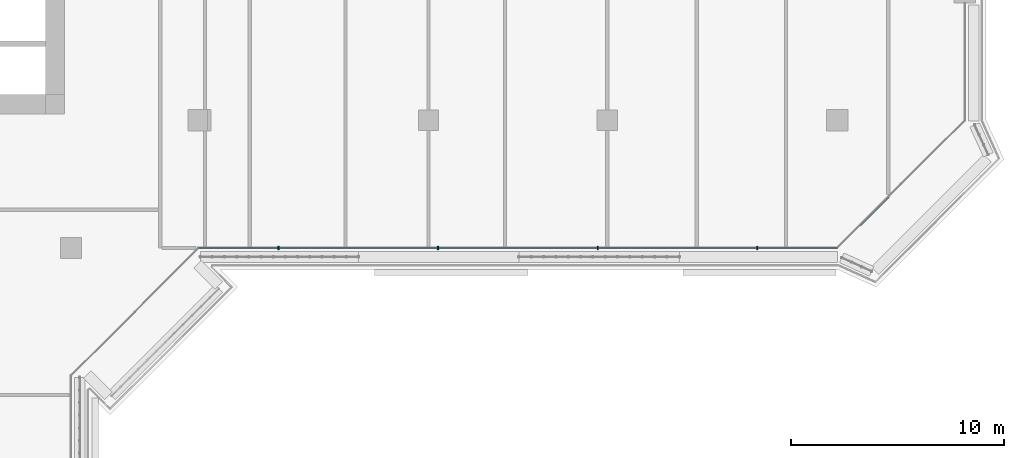
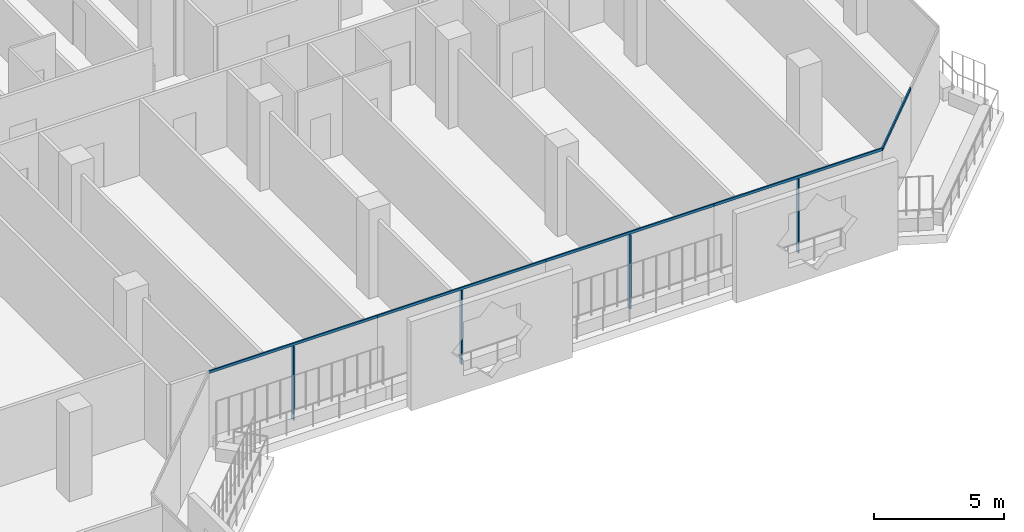
# One storey, part 4 of 23: 9 members, 2 elements without a shape of their own.
"""IFC4 building model written with IfcOpenShell, lengths in metres."""

from ifc_helpers import new_model, si_unit, direction, frame, origin, origin_2d, place, context, subcontext, project, spatial, rectangle, extrude, material, layer, layer_set, material_profile, profile_set, type_object, element, aggregate, save


model = new_model("IFC4")

# Units and contexts
model_context = context("Model", 3, precision=1e-05, world=origin(), true_north=direction((0.0, 1.0)))
body_context = subcontext(model_context, "Body", "Model", "MODEL_VIEW")
ifc_project = project(units=[si_unit("LENGTHUNIT", "METRE"), si_unit("AREAUNIT", "SQUARE_METRE"), si_unit("VOLUMEUNIT", "CUBIC_METRE"), si_unit("PLANEANGLEUNIT", "RADIAN"), si_unit("MASSUNIT", "GRAM", prefix="KILO")], contexts=[model_context])

# Site, building, storey
site_placement = place(None, origin())
site = spatial("IfcSite", under=ifc_project, at=site_placement, CompositionType="ELEMENT")
building_placement = place(site_placement, origin())
building = spatial("IfcBuilding", under=site, at=building_placement, Name="Kawkab Arch Medical Tower", CompositionType="ELEMENT")
storey_placement = place(building_placement, frame((0.0, 0.0, 175.199951171875)))
storey = spatial("IfcBuildingStorey", under=building, at=storey_placement, Name="L40", CompositionType="ELEMENT", Elevation=175.199951171875)

# Curtain wall, members
ifc_material_1 = material(Name="Bronze anodised aluminium curtain wall frame", Category="aluminium")
ifc_layer_1 = layer(ifc_material_1, 0.159912109375)
ifc_layer_set_1 = layer_set([ifc_layer_1], Name="Bronze anodised aluminium curtain wall frame")
curtain_wall_type_1 = type_object("IfcCurtainWallType", Name="CW1 ward curtain wall", PredefinedType="NOTDEFINED", material=ifc_layer_set_1)
placement = place(storey_placement, origin())
curtain_wall_1 = element("IfcCurtainWall", 1, at=placement, inside=storey, type_object=curtain_wall_type_1, Name="CW1 Ward curtain wall R07", PredefinedType="NOTDEFINED")
ifc_material_2 = material(Name="Bronze anodised aluminium curtain wall frame", Category="aluminium")
ifc_material_profile_1 = material_profile(ifc_material_2, rectangle(XDim=0.179931640625, YDim=0.06005859375, at=origin_2d()), Name="AL 60x180")
ifc_profile_set_1 = profile_set([ifc_material_profile_1], Name="Bronze anodised aluminium curtain wall frame")
member_type_1 = type_object("IfcMemberType", Name="CW1 mullion 60 x 180", PredefinedType="MULLION", material=ifc_profile_set_1)
member_1_placement = place(storey_placement, frame((34.949951171875, -31.199951171875, 0.0), z_axis=(0.0, 0.0, 1.0), x_axis=(0.0, 1.0, 0.0)))
member_1 = element("IfcMember", 2, at=member_1_placement, type_object=member_type_1, Name="CW1 mullion 1.1", PredefinedType="MULLION", context=body_context, shape_type="SweptSolid", body=[
    extrude(rectangle(XDim=0.179931640625, YDim=0.06005859375, at=origin_2d()), origin(), (0.0, 0.0, 1.0), 3.47998046875),
])
member_2_placement = place(storey_placement, frame((42.449951171875, -31.199951171875, 0.0), z_axis=(0.0, 0.0, 1.0), x_axis=(0.0, 1.0, 0.0)))
member_2 = element("IfcMember", 3, at=member_2_placement, type_object=member_type_1, Name="CW1 mullion 2.1", PredefinedType="MULLION", context=body_context, shape_type="SweptSolid", body=[
    extrude(rectangle(XDim=0.179931640625, YDim=0.06005859375, at=origin_2d()), origin(), (0.0, 0.0, 1.0), 3.47998046875),
])
member_3_placement = place(storey_placement, frame((49.949951171875, -31.199951171875, 0.0), z_axis=(0.0, 0.0, 1.0), x_axis=(0.0, 1.0, 0.0)))
member_3 = element("IfcMember", 4, at=member_3_placement, type_object=member_type_1, Name="CW1 mullion 3.1", PredefinedType="MULLION", context=body_context, shape_type="SweptSolid", body=[
    extrude(rectangle(XDim=0.179931640625, YDim=0.06005859375, at=origin_2d()), origin(), (0.0, 0.0, 1.0), 3.47998046875),
])
member_4_placement = place(storey_placement, frame((57.449951171875, -31.199951171875, 0.0), z_axis=(0.0, 0.0, 1.0), x_axis=(0.0, 1.0, 0.0)))
member_4 = element("IfcMember", 5, at=member_4_placement, type_object=member_type_1, Name="CW1 mullion 4.1", PredefinedType="MULLION", context=body_context, shape_type="SweptSolid", body=[
    extrude(rectangle(XDim=0.179931640625, YDim=0.06005859375, at=origin_2d()), origin(), (0.0, 0.0, 1.0), 3.47998046875),
])
ifc_material_3 = material(Name="Bronze anodised aluminium curtain wall frame", Category="aluminium")
ifc_material_profile_2 = material_profile(ifc_material_3, rectangle(XDim=0.06005859375, YDim=0.1201171875, at=origin_2d()), Name="AL 60x120")
ifc_profile_set_2 = profile_set([ifc_material_profile_2], Name="Bronze anodised aluminium curtain wall frame")
member_type_2 = type_object("IfcMemberType", Name="CW1 transom 120 x 60", PredefinedType="USERDEFINED", material=ifc_profile_set_2)
member_5_placement = place(storey_placement, frame((31.199951171875, -31.199951171875, 3.5400390625), z_axis=(1.0, 0.0, 0.0), x_axis=(0.0, 1.0, 0.0)))
member_5 = element("IfcMember", 6, at=member_5_placement, type_object=member_type_2, Name="CW1 transom 1", ObjectType="TRANSOM", PredefinedType="USERDEFINED", context=body_context, shape_type="SweptSolid", body=[
    extrude(rectangle(XDim=0.06005859375, YDim=0.1201171875, at=origin_2d()), origin(), (0.0, 0.0, 1.0), 7.5),
])
member_6_placement = place(storey_placement, frame((38.699951171875, -31.199951171875, 3.5400390625), z_axis=(1.0, 0.0, 0.0), x_axis=(0.0, 1.0, 0.0)))
member_6 = element("IfcMember", 7, at=member_6_placement, type_object=member_type_2, Name="CW1 transom 2", ObjectType="TRANSOM", PredefinedType="USERDEFINED", context=body_context, shape_type="SweptSolid", body=[
    extrude(rectangle(XDim=0.06005859375, YDim=0.1201171875, at=origin_2d()), origin(), (0.0, 0.0, 1.0), 7.5),
])
member_7_placement = place(storey_placement, frame((46.199951171875, -31.199951171875, 3.5400390625), z_axis=(1.0, 0.0, 0.0), x_axis=(0.0, 1.0, 0.0)))
member_7 = element("IfcMember", 8, at=member_7_placement, type_object=member_type_2, Name="CW1 transom 3", ObjectType="TRANSOM", PredefinedType="USERDEFINED", context=body_context, shape_type="SweptSolid", body=[
    extrude(rectangle(XDim=0.06005859375, YDim=0.1201171875, at=origin_2d()), origin(), (0.0, 0.0, 1.0), 7.5),
])
member_8_placement = place(storey_placement, frame((53.699951171875, -31.199951171875, 3.5400390625), z_axis=(1.0, 0.0, 0.0), x_axis=(0.0, 1.0, 0.0)))
member_8 = element("IfcMember", 9, at=member_8_placement, type_object=member_type_2, Name="CW1 transom 4", ObjectType="TRANSOM", PredefinedType="USERDEFINED", context=body_context, shape_type="SweptSolid", body=[
    extrude(rectangle(XDim=0.06005859375, YDim=0.1201171875, at=origin_2d()), origin(), (0.0, 0.0, 1.0), 7.5),
])
aggregate(curtain_wall_1, [member_5, member_1, member_6, member_2, member_7, member_3, member_8, member_4])

# Curtain wall, member
ifc_material_4 = material(Name="Bronze anodised aluminium curtain wall frame", Category="aluminium")
ifc_layer_2 = layer(ifc_material_4, 0.159912109375)
ifc_layer_set_2 = layer_set([ifc_layer_2], Name="Bronze anodised aluminium curtain wall frame")
curtain_wall_type_2 = type_object("IfcCurtainWallType", Name="CW2 chamfer curtain wall", PredefinedType="NOTDEFINED", material=ifc_layer_set_2)
curtain_wall_2 = element("IfcCurtainWall", 10, at=placement, inside=storey, type_object=curtain_wall_type_2, Name="CW2 Chamfer curtain wall R08", PredefinedType="NOTDEFINED")
ifc_material_5 = material(Name="Bronze anodised aluminium curtain wall frame", Category="aluminium")
ifc_material_profile_3 = material_profile(ifc_material_5, rectangle(XDim=0.06005859375, YDim=0.139892578125, at=origin_2d()), Name="AL 60x140")
ifc_profile_set_3 = profile_set([ifc_material_profile_3], Name="Bronze anodised aluminium curtain wall frame")
member_type_3 = type_object("IfcMemberType", Name="CW2 transom 140 x 60", PredefinedType="USERDEFINED", material=ifc_profile_set_3)
member_9_placement = place(storey_placement, frame((61.199951171875, -31.199951171875, 3.530029296875), z_axis=(0.707106781187, 0.707106781187, 0.0), x_axis=(-0.707106781187, 0.707106781187, 0.0)))
member_9 = element("IfcMember", 11, at=member_9_placement, type_object=member_type_3, Name="CW2 transom 1", ObjectType="TRANSOM", PredefinedType="USERDEFINED", context=body_context, shape_type="SweptSolid", body=[
    extrude(rectangle(XDim=0.06005859375, YDim=0.139892578125, at=origin_2d()), origin(), (0.0, 0.0, 1.0), 4.24267578125),
])
aggregate(curtain_wall_2, [member_9])

save(model, "model.ifc")
